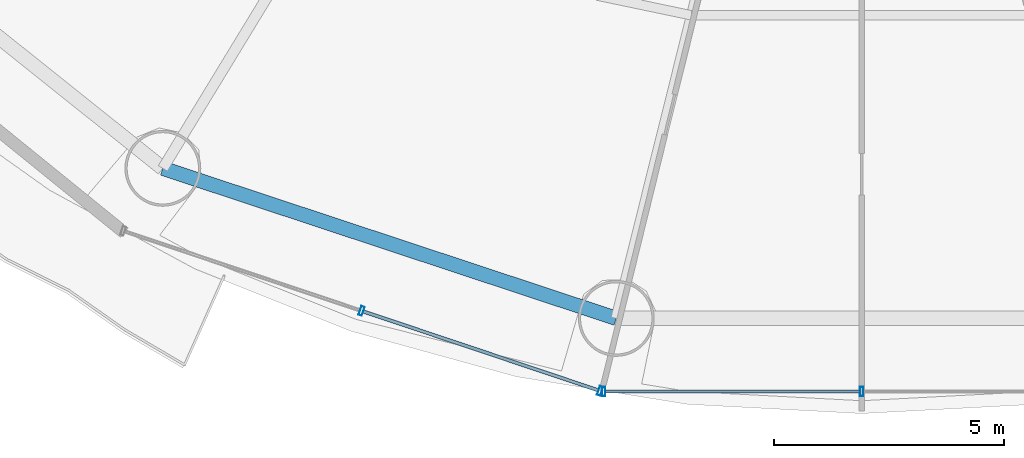
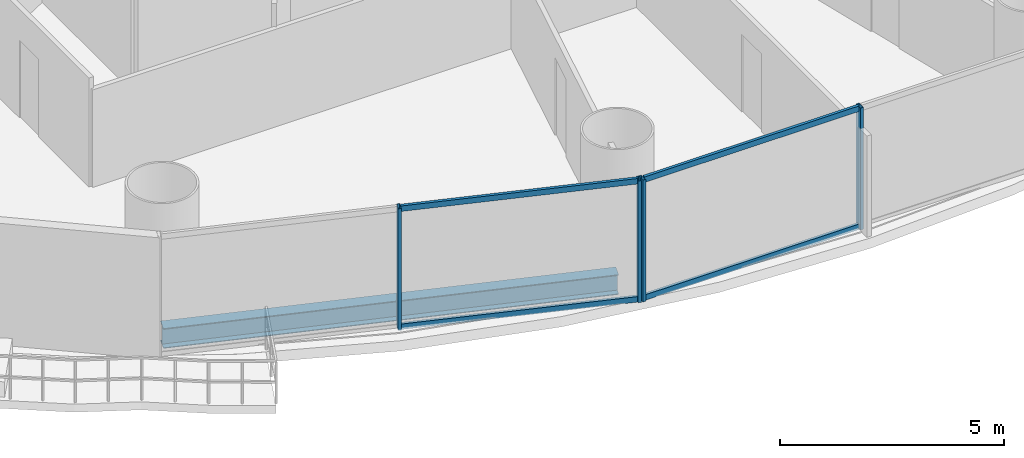
# One storey, part 5 of 30: 8 members, 1 beam, 2 elements without a shape of their own.
"""IFC4 building model written with IfcOpenShell, lengths in metres."""

from ifc_helpers import new_model, si_unit, direction, frame, origin, origin_2d, place, context, subcontext, project, spatial, hollow_rectangle, i_section, extrude, source, transform, mapped, material, material_profile, profile_set, type_object, element, aggregate, save


model = new_model("IFC4")

# Units and contexts
model_context = context("Model", 3, precision=1e-05, world=origin(), true_north=direction((-0.2419218956, 0.970295726276)))
body_context = subcontext(model_context, "Body", "Model", "MODEL_VIEW")
ifc_project = project(units=[si_unit("LENGTHUNIT", "METRE"), si_unit("AREAUNIT", "SQUARE_METRE"), si_unit("VOLUMEUNIT", "CUBIC_METRE"), si_unit("PLANEANGLEUNIT", "RADIAN"), si_unit("MASSUNIT", "GRAM", prefix="KILO")], contexts=[model_context])

# Site, building, storey
site_placement = place(None, origin())
site = spatial("IfcSite", under=ifc_project, at=site_placement, CompositionType="ELEMENT")
building_placement = place(site_placement, origin())
building = spatial("IfcBuilding", under=site, at=building_placement, Name="Cobrevalo Terracotta Tower", CompositionType="ELEMENT")
storey_placement = place(building_placement, frame((0.0, 0.0, 60.0)))
storey = spatial("IfcBuildingStorey", under=building, at=storey_placement, Name="L15", CompositionType="ELEMENT", Elevation=60.0)

# Beam
ifc_material_1 = material(Name="Steel S355", Category="steel")
ifc_material_profile_1 = material_profile(ifc_material_1, i_section(OverallWidth=0.31201171875, OverallDepth=0.54296875, WebThickness=0.0126953125, FlangeThickness=0.020263671875, at=origin_2d()), Name="W 530x150")
ifc_profile_set_1 = profile_set([ifc_material_profile_1], Name="Steel S355")
beam_type = type_object("IfcBeamType", Name="Structural Spandrel W 530x150 (Steel S355)", PredefinedType="SPANDREL", material=ifc_profile_set_1)
beam_placement = place(storey_placement, frame((22.80517578125, 8.63232421875, -0.551513671875), z_axis=(0.949372202648, -0.314153498848, 0.0), x_axis=(0.314153498848, 0.949372202648, 0.0)))
element("IfcBeam", 1, at=beam_placement, inside=storey, type_object=beam_type, Name="L15 perimeter ring spandrel 11", PredefinedType="SPANDREL", context=body_context, shape_type="SweptSolid", body=[
    extrude(i_section(OverallWidth=0.31201171875, OverallDepth=0.54296875, WebThickness=0.0126953125, FlangeThickness=0.020263671875, at=origin_2d()), origin(), (0.0, 0.0, 1.0), 10.385009765625),
])

# Curtain wall, members
ifc_material_2 = material(Name="Anodized aluminium", Category="aluminium")
curtain_wall_type = type_object("IfcCurtainWallType", Name="Lower-tower unitised acoustic low-E curtain wall CW-U1", PredefinedType="NOTDEFINED", material=ifc_material_2)
curtain_wall_1_placement = place(storey_placement, origin())
curtain_wall_1 = element("IfcCurtainWall", 2, at=curtain_wall_1_placement, inside=storey, type_object=curtain_wall_type, Name="L15 curtain wall CW-L15-S11", PredefinedType="NOTDEFINED")
ifc_material_profile_2 = material_profile(ifc_material_2, hollow_rectangle(XDim=0.074951171875, YDim=0.199951171875, WallThickness=0.0048828125, at=origin_2d()), Name="CWM 75x200")
ifc_profile_set_2 = profile_set([ifc_material_profile_2], Name="Anodized aluminium")
member_type_1 = type_object("IfcMemberType", Name="Lower/mid tower unitised mullion 75x200", PredefinedType="MULLION", material=ifc_profile_set_2)
shared_shape_1 = source(origin(), body_context, "Body", "SweptSolid", [
    extrude(hollow_rectangle(XDim=0.074951171875, YDim=0.199951171875, WallThickness=0.0048828125, at=origin_2d()), origin(), (0.0, 0.0, 1.0), 3.320068359375),
])
member_1_placement = place(storey_placement, frame((27.126708984375, 5.533203125, 0.0), z_axis=(0.0, 0.0, 1.0), x_axis=(0.948046393597, -0.318132103987, 0.0)))
member_1 = element("IfcMember", 3, at=member_1_placement, type_object=member_type_1, Name="CW-L15-S11 vertical mullion 02", PredefinedType="MULLION", context=body_context, shape_type="MappedRepresentation", body=[
    mapped(shared_shape_1, transform((0.0, 0.0, 0.0), scale=1.0)),
])
member_2_placement = place(storey_placement, frame((32.310302734375, 3.793701171875, 0.0), z_axis=(0.0, 0.0, 1.0), x_axis=(0.948046393597, -0.318132103987, 0.0)))
member_2 = element("IfcMember", 4, at=member_2_placement, type_object=member_type_1, Name="CW-L15-S11 vertical mullion 03", PredefinedType="MULLION", context=body_context, shape_type="MappedRepresentation", body=[
    mapped(shared_shape_1, transform((0.0, 0.0, 0.0), scale=1.0)),
])

curtain_wall_2_placement = place(storey_placement, origin())
curtain_wall_2 = element("IfcCurtainWall", 5, at=curtain_wall_2_placement, inside=storey, type_object=curtain_wall_type, Name="L15 curtain wall CW-L15-S12", PredefinedType="NOTDEFINED")
member_3_placement = place(storey_placement, frame((32.38818359375, 3.781005859375, 0.0), z_axis=(0.0, 0.0, 1.0), x_axis=(1.0, 0.0, 0.0)))
member_3 = element("IfcMember", 6, at=member_3_placement, type_object=member_type_1, Name="CW-L15-S12 vertical mullion 01", PredefinedType="MULLION", context=body_context, shape_type="MappedRepresentation", body=[
    mapped(shared_shape_1, transform((0.0, 0.0, 0.0), scale=1.0)),
])
member_4_placement = place(storey_placement, frame((38.0, 3.781005859375, 0.0), z_axis=(0.0, 0.0, 1.0), x_axis=(1.0, 0.0, 0.0)))
member_4 = element("IfcMember", 7, at=member_4_placement, type_object=member_type_1, Name="CW-L15-S12 vertical mullion 02", PredefinedType="MULLION", context=body_context, shape_type="MappedRepresentation", body=[
    mapped(shared_shape_1, transform((0.0, 0.0, 0.0), scale=1.0)),
])

# Member
ifc_material_profile_3 = material_profile(ifc_material_2, hollow_rectangle(XDim=0.074951171875, YDim=0.14990234375, WallThickness=0.00439453125, at=origin_2d()), Name="CWT 75x150")
ifc_profile_set_3 = profile_set([ifc_material_profile_3], Name="Anodized aluminium")
member_type_2 = type_object("IfcMemberType", Name="Tower unitised aluminium transom 75x150", PredefinedType="USERDEFINED", material=ifc_profile_set_3)
shared_shape_2 = source(origin(), body_context, "Body", "SweptSolid", [
    extrude(hollow_rectangle(XDim=0.074951171875, YDim=0.14990234375, WallThickness=0.00439453125, at=origin_2d()), origin(), (0.0, 0.0, 1.0), 5.387939453125),
])
member_5_placement = place(storey_placement, frame((27.16455078125, 5.5205078125, 0.050048828125), z_axis=(0.94804244582, -0.318143868278, 0.0), x_axis=(0.318143868278, 0.94804244582, 0.0)))
member_5 = element("IfcMember", 8, at=member_5_placement, type_object=member_type_2, Name="CW-L15-S11 transom B02-T1", ObjectType="TRANSOM", PredefinedType="USERDEFINED", context=body_context, shape_type="MappedRepresentation", body=[
    mapped(shared_shape_2, transform((0.0, 0.0, 0.0), scale=1.0)),
])

member_6_placement = place(storey_placement, frame((27.16455078125, 5.5205078125, 3.27001953125), z_axis=(0.94804244582, -0.318143868278, 0.0), x_axis=(0.318143868278, 0.94804244582, 0.0)))
member_6 = element("IfcMember", 9, at=member_6_placement, type_object=member_type_2, Name="CW-L15-S11 transom B02-T2", ObjectType="TRANSOM", PredefinedType="USERDEFINED", context=body_context, shape_type="MappedRepresentation", body=[
    mapped(shared_shape_2, transform((0.0, 0.0, 0.0), scale=1.0)),
])

aggregate(curtain_wall_1, [member_1, member_2, member_5, member_6])

shared_shape_3 = source(origin(), body_context, "Body", "SweptSolid", [
    extrude(hollow_rectangle(XDim=0.074951171875, YDim=0.14990234375, WallThickness=0.00439453125, at=origin_2d()), origin(), (0.0, 0.0, 1.0), 5.53173828125),
])
member_7_placement = place(storey_placement, frame((32.42822265625, 3.781005859375, 0.050048828125), z_axis=(1.0, 0.0, 0.0), x_axis=(0.0, 1.0, 0.0)))
member_7 = element("IfcMember", 10, at=member_7_placement, type_object=member_type_2, Name="CW-L15-S12 transom B01-T1", ObjectType="TRANSOM", PredefinedType="USERDEFINED", context=body_context, shape_type="MappedRepresentation", body=[
    mapped(shared_shape_3, transform((0.0, 0.0, 0.0), scale=1.0)),
])

member_8_placement = place(storey_placement, frame((32.42822265625, 3.781005859375, 3.27001953125), z_axis=(1.0, 0.0, 0.0), x_axis=(0.0, 1.0, 0.0)))
member_8 = element("IfcMember", 11, at=member_8_placement, type_object=member_type_2, Name="CW-L15-S12 transom B01-T2", ObjectType="TRANSOM", PredefinedType="USERDEFINED", context=body_context, shape_type="MappedRepresentation", body=[
    mapped(shared_shape_3, transform((0.0, 0.0, 0.0), scale=1.0)),
])

aggregate(curtain_wall_2, [member_3, member_4, member_7, member_8])

save(model, "model.ifc")
